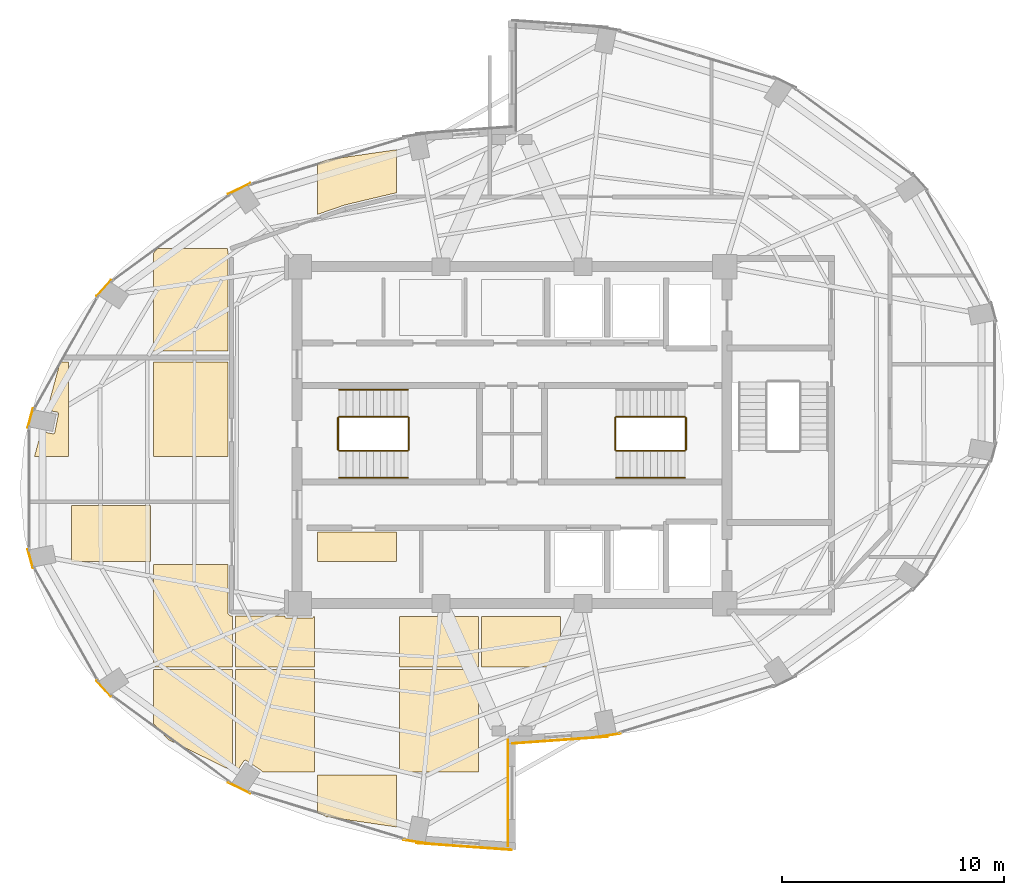
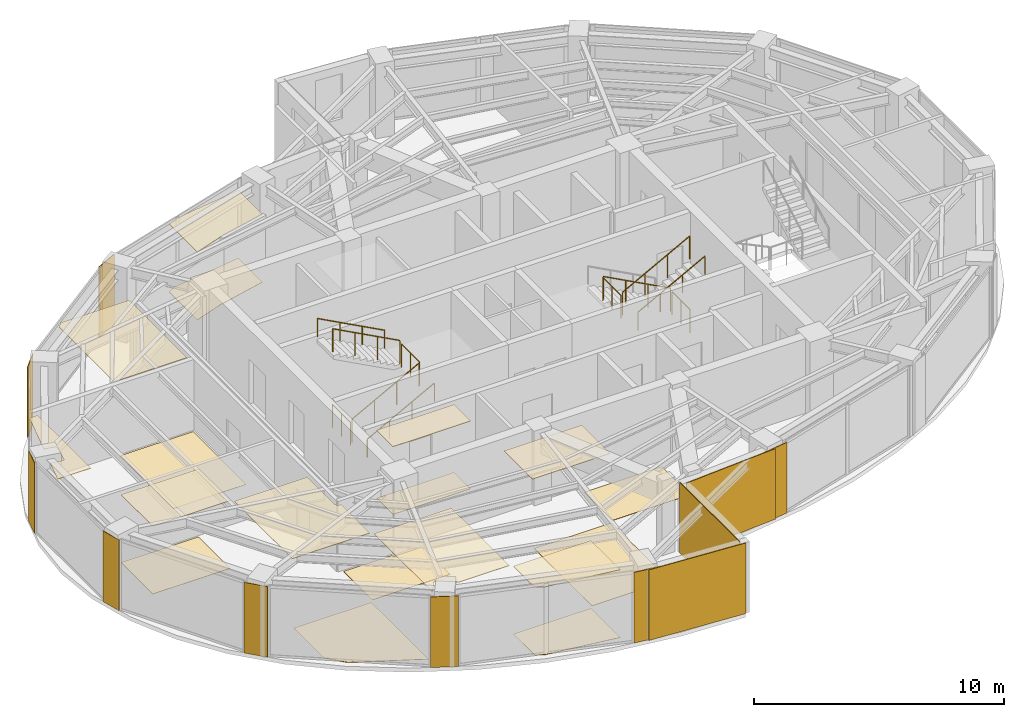
# One storey, part 22 of 23: 29 coverings, 11 railings.
"""IFC4 building model written with IfcOpenShell, lengths in metres."""

from ifc_helpers import new_model, si_unit, direction, frame, origin, origin_2d, place, context, subcontext, project, spatial, polyline, rectangle, circle, outline, extrude, material, layer, layer_set, type_object, element, save


model = new_model("IFC4")

# Units and contexts
model_context = context("Model", 3, precision=1e-05, world=origin(), true_north=direction((0.0, 1.0)))
body_context = subcontext(model_context, "Body", "Model", "MODEL_VIEW")
ifc_project = project(units=[si_unit("LENGTHUNIT", "METRE"), si_unit("AREAUNIT", "SQUARE_METRE"), si_unit("VOLUMEUNIT", "CUBIC_METRE"), si_unit("PLANEANGLEUNIT", "RADIAN"), si_unit("MASSUNIT", "GRAM", prefix="KILO")], contexts=[model_context])

# Site, building, storey
site_placement = place(None, origin())
site = spatial("IfcSite", under=ifc_project, at=site_placement, CompositionType="ELEMENT")
building_placement = place(site_placement, origin())
building = spatial("IfcBuilding", under=site, at=building_placement, Name="Lazwardi Medical Tower", CompositionType="ELEMENT")
storey_placement = place(building_placement, frame((0.0, 0.0, 262.320068359375)))
storey = spatial("IfcBuildingStorey", under=building, at=storey_placement, Name="L68", CompositionType="ELEMENT", Elevation=262.320068359375)

# Coverings
ifc_material_1 = material(Name="Anodised bronze aluminium cassette cladding", Category="aluminium")
ifc_layer_1 = layer(ifc_material_1, 0.030029296875)
ifc_layer_set_1 = layer_set([ifc_layer_1], Name="Anodised bronze aluminium cassette cladding")
covering_type_1 = type_object("IfcCoveringType", Name="COV-CLD-BRZ", PredefinedType="CLADDING", material=ifc_layer_set_1)
covering_1_placement = place(storey_placement, frame((40.3232421875, 14.450439453125, 0.0), z_axis=(0.0, 0.0, 1.0), x_axis=(0.989512431533, 0.144447733943, 0.0)))
element("IfcCovering", 1, at=covering_1_placement, inside=storey, type_object=covering_type_1, Name="L68 Mega-column bronze cassette cover M01", PredefinedType="CLADDING", context=body_context, shape_type="SweptSolid", body=[
    extrude(rectangle(XDim=1.188720703125, YDim=0.030029296875, at=origin_2d()), origin(), (0.0, 0.0, 1.0), 3.447998046875),
])
covering_2_placement = place(storey_placement, frame((23.688720703125, 39.121337890625, 0.0), z_axis=(0.0, 0.0, 1.0), x_axis=(-0.897840141691, -0.440321564278, 0.0)))
element("IfcCovering", 2, at=covering_2_placement, inside=storey, type_object=covering_type_1, Name="L68 Mega-column bronze cassette cover M10", PredefinedType="CLADDING", context=body_context, shape_type="SweptSolid", body=[
    extrude(rectangle(XDim=1.110595703125, YDim=0.030029296875, at=origin_2d()), origin(), (0.0, 0.0, 1.0), 3.447998046875),
])
covering_3_placement = place(storey_placement, frame((17.57470703125, 34.634765625, 0.0), z_axis=(0.0, 0.0, 1.0), x_axis=(-0.673240970654, -0.739423150458, 0.0)))
element("IfcCovering", 3, at=covering_3_placement, inside=storey, type_object=covering_type_1, Name="L68 Mega-column bronze cassette cover M11", PredefinedType="CLADDING", context=body_context, shape_type="SweptSolid", body=[
    extrude(rectangle(XDim=0.98974609375, YDim=0.030029296875, at=origin_2d()), origin(), (0.0, 0.0, 1.0), 3.447998046875),
])
for number, where, z_axis, x_axis, name in (
    (4, (14.265869140625, 28.772705078125, 0.0), (0.0, 0.0, 1.0), (-0.261641748247, -0.96516506131, 0.0), "L68 Mega-column bronze cassette cover M12"),
    (5, (14.265869140625, 22.427490234375, 0.0), (0.0, 0.0, 1.0), (0.261641748247, -0.96516506131, 0.0), "L68 Mega-column bronze cassette cover M13"),
):
    element("IfcCovering", number, at=place(storey_placement, frame(where, z_axis=z_axis, x_axis=x_axis)), inside=storey, type_object=covering_type_1, Name=name, PredefinedType="CLADDING", context=body_context, shape_type="SweptSolid", body=[
        extrude(rectangle(XDim=0.894287109375, YDim=0.030029296875, at=origin_2d()), origin(), (0.0, 0.0, 1.0), 3.447998046875),
    ])
covering_4_placement = place(storey_placement, frame((17.57470703125, 16.565185546875, 0.0), z_axis=(0.0, 0.0, 1.0), x_axis=(0.673240970654, -0.739423150458, 0.0)))
element("IfcCovering", 6, at=covering_4_placement, inside=storey, type_object=covering_type_1, Name="L68 Mega-column bronze cassette cover M14", PredefinedType="CLADDING", context=body_context, shape_type="SweptSolid", body=[
    extrude(rectangle(XDim=0.98974609375, YDim=0.030029296875, at=origin_2d()), origin(), (0.0, 0.0, 1.0), 3.447998046875),
])
covering_5_placement = place(storey_placement, frame((23.688720703125, 12.07861328125, 0.0), z_axis=(0.0, 0.0, 1.0), x_axis=(0.897840141691, -0.440321564278, 0.0)))
element("IfcCovering", 7, at=covering_5_placement, inside=storey, type_object=covering_type_1, Name="L68 Mega-column bronze cassette cover M15", PredefinedType="CLADDING", context=body_context, shape_type="SweptSolid", body=[
    extrude(rectangle(XDim=1.110595703125, YDim=0.030029296875, at=origin_2d()), origin(), (0.0, 0.0, 1.0), 3.447998046875),
])
covering_6_placement = place(storey_placement, frame((31.6767578125, 9.650390625, 0.0), z_axis=(0.0, 0.0, 1.0), x_axis=(0.989512431533, -0.144447733943, 0.0)))
element("IfcCovering", 8, at=covering_6_placement, inside=storey, type_object=covering_type_1, Name="L68 Mega-column bronze cassette cover M16", PredefinedType="CLADDING", context=body_context, shape_type="SweptSolid", body=[
    extrude(rectangle(XDim=1.188720703125, YDim=0.030029296875, at=origin_2d()), origin(), (0.0, 0.0, 1.0), 3.447998046875),
])
ifc_material_2 = material(Name="Turquoise glazed ceramic tilework cladding", Category="masonry")
ifc_layer_2 = layer(ifc_material_2, 0.034912109375)
ifc_layer_set_2 = layer_set([ifc_layer_2], Name="Turquoise glazed ceramic tilework cladding")
covering_type_2 = type_object("IfcCoveringType", Name="COV-CLD-TRQ", PredefinedType="CLADDING", material=ifc_layer_set_2)
covering_7_placement = place(storey_placement, frame((38.16259765625, 14.239990234375, 0.0), z_axis=(0.0, 0.0, 1.0), x_axis=(0.997409491337, 0.071932653157, 0.0)))
element("IfcCovering", 9, at=covering_7_placement, inside=storey, type_object=covering_type_2, Name="L68 Turquoise glazed ceramic tilework cladding", PredefinedType="CLADDING", context=body_context, shape_type="SweptSolid", body=[
    extrude(rectangle(XDim=4.31103515625, YDim=0.034912109375, at=origin_2d()), origin(), (0.0, 0.0, 1.0), 3.447998046875),
])
covering_8_placement = place(storey_placement, frame((33.83740234375, 9.43994140625, 0.0), z_axis=(0.0, 0.0, 1.0), x_axis=(0.997408989128, -0.071939616387, 0.0)))
element("IfcCovering", 10, at=covering_8_placement, inside=storey, type_object=covering_type_2, Name="L68 Turquoise glazed ceramic tilework cladding", PredefinedType="CLADDING", context=body_context, shape_type="SweptSolid", body=[
    extrude(rectangle(XDim=4.310546875, YDim=0.034912109375, at=origin_2d()), origin(), (0.0, 0.0, 1.0), 3.447998046875),
])
covering_9_placement = place(storey_placement, frame((35.824462890625, 11.860107421875, 0.0), z_axis=(0.0, 0.0, 1.0), x_axis=(0.0, 1.0, 0.0)))
element("IfcCovering", 11, at=covering_9_placement, inside=storey, type_object=covering_type_2, Name="L68 Turquoise glazed ceramic tilework iwan panel", PredefinedType="CLADDING", context=body_context, shape_type="SweptSolid", body=[
    extrude(rectangle(XDim=4.800048828125, YDim=0.034912109375, at=origin_2d()), origin(), (0.0, 0.0, 1.0), 3.447998046875),
])
ifc_material_3 = material(Name="Acoustic mineral fibre tile")
ifc_layer_3 = layer(ifc_material_3, 0.02490234375)
ifc_layer_set_3 = layer_set([ifc_layer_3], Name="Acoustic mineral fibre tile")
covering_type_3 = type_object("IfcCoveringType", Name="COV-CLG-01", PredefinedType="CEILING", material=ifc_layer_set_3)
covering_10_placement = place(storey_placement, frame((0.0, 0.0, 3.302978515625)))
element("IfcCovering", 12, at=covering_10_placement, inside=storey, type_object=covering_type_3, Name="L68 Clinical Acoustic Ceiling 1", PredefinedType="CEILING", context=body_context, shape_type="SweptSolid", body=[
    extrude(outline(polyline([(15.992919921875, 31.300048828125), (15.61181640625, 31.300048828125), (15.0224609375, 29.13134765625), (15.4716796875, 29.0419921875), (15.479248046875, 29.040283203125), (15.486572265625, 29.03759765625), (15.49365234375, 29.0341796875), (15.50048828125, 29.030029296875), (15.5068359375, 29.025390625), (15.5126953125, 29.020263671875), (15.517822265625, 29.014404296875), (15.5224609375, 29.008056640625), (15.526611328125, 29.001220703125), (15.52978515625, 28.994140625), (15.53271484375, 28.98681640625), (15.534423828125, 28.979248046875), (15.53564453125, 28.971435546875), (15.535888671875, 28.963623046875), (15.53564453125, 28.955810546875), (15.534423828125, 28.947998046875), (15.37060546875, 28.124267578125), (15.36865234375, 28.11669921875), (15.365966796875, 28.109130859375), (15.36279296875, 28.10205078125), (15.358642578125, 28.095458984375), (15.35400390625, 28.089111328125), (15.3486328125, 28.083251953125), (15.343017578125, 28.077880859375), (15.33642578125, 28.0732421875), (15.329833984375, 28.069091796875), (15.32275390625, 28.06591796875), (15.315185546875, 28.063232421875), (15.3076171875, 28.061279296875), (15.2998046875, 28.060302734375), (15.2919921875, 28.059814453125), (15.2841796875, 28.060302734375), (15.276611328125, 28.061279296875), (14.759521484375, 28.1640625), (14.454833984375, 27.04248046875), (15.992919921875, 27.04248046875), (15.992919921875, 31.300048828125)])), origin(), (0.0, 0.0, 1.0), 0.02490234375),
])
covering_11_placement = place(storey_placement, frame((0.0, 0.0, 3.302978515625)))
element("IfcCovering", 13, at=covering_11_placement, inside=storey, type_object=covering_type_3, Name="L68 Clinical Acoustic Ceiling 2", PredefinedType="CEILING", context=body_context, shape_type="SweptSolid", body=[
    extrude(outline(polyline([(19.69287109375, 24.8349609375), (16.11279296875, 24.8349609375), (16.11279296875, 22.29248046875), (19.69287109375, 22.29248046875), (19.69287109375, 24.8349609375)])), origin(), (0.0, 0.0, 1.0), 0.02490234375),
])
covering_12_placement = place(storey_placement, frame((0.0, 0.0, 3.302978515625)))
element("IfcCovering", 14, at=covering_12_placement, inside=storey, type_object=covering_type_3, Name="L68 Clinical Acoustic Ceiling 3", PredefinedType="CEILING", context=body_context, shape_type="SweptSolid", body=[
    extrude(outline(polyline([(23.392822265625, 19.844970703125), (23.35009765625, 19.844970703125), (23.345703125, 19.84521484375), (23.33642578125, 19.845703125), (23.32958984375, 19.84619140625), (23.3203125, 19.84765625), (23.31201171875, 19.84912109375), (23.302734375, 19.8515625), (23.2958984375, 19.853515625), (23.287109375, 19.856689453125), (23.279296875, 19.860107421875), (23.270751953125, 19.864013671875), (23.263916015625, 19.86767578125), (23.256103515625, 19.872314453125), (23.249267578125, 19.876953125), (23.24169921875, 19.882568359375), (23.236083984375, 19.88720703125), (23.229248046875, 19.893310546875), (23.223388671875, 19.8994140625), (23.217041015625, 19.90625), (23.21240234375, 19.911865234375), (23.206787109375, 19.919189453125), (23.202392578125, 19.926025390625), (23.197509765625, 19.93408203125), (23.194091796875, 19.94091796875), (23.18994140625, 19.94921875), (23.186767578125, 19.95703125), (23.18359375, 19.9658203125), (23.181396484375, 19.972900390625), (23.17919921875, 19.98193359375), (23.177490234375, 19.990234375), (23.17626953125, 19.99951171875), (23.175537109375, 20.00634765625), (23.175048828125, 20.015625), (23.175048828125, 20.02001953125), (23.175048828125, 22.172607421875), (19.81298828125, 22.172607421875), (19.81298828125, 17.54248046875), (23.392822265625, 17.54248046875), (23.392822265625, 19.844970703125)])), origin(), (0.0, 0.0, 1.0), 0.02490234375),
])
covering_13_placement = place(storey_placement, frame((0.0, 0.0, 3.302978515625)))
element("IfcCovering", 15, at=covering_13_placement, inside=storey, type_object=covering_type_3, Name="L68 Clinical Acoustic Ceiling 4", PredefinedType="CEILING", context=body_context, shape_type="SweptSolid", body=[
    extrude(outline(polyline([(20.011962890625, 36.422607421875), (19.81298828125, 36.204345703125), (19.81298828125, 31.79248046875), (23.175048828125, 31.79248046875), (23.175048828125, 35.982421875), (23.175048828125, 35.986572265625), (23.175537109375, 35.99609375), (23.176513671875, 36.00439453125), (23.177978515625, 36.01416015625), (23.179443359375, 36.021484375), (23.181884765625, 36.031005859375), (23.1845703125, 36.039306640625), (23.18798828125, 36.04833984375), (23.191162109375, 36.055419921875), (23.1953125, 36.064208984375), (23.199462890625, 36.071533203125), (23.20458984375, 36.079833984375), (23.209228515625, 36.086181640625), (23.212158203125, 36.090087890625), (23.1591796875, 36.40625), (23.15869140625, 36.410400390625), (23.15771484375, 36.419921875), (23.157470703125, 36.422607421875), (20.011962890625, 36.422607421875)])), origin(), (0.0, 0.0, 1.0), 0.02490234375),
])
covering_14_placement = place(storey_placement, frame((0.0, 0.0, 3.302978515625)))
element("IfcCovering", 16, at=covering_14_placement, inside=storey, type_object=covering_type_3, Name="L68 Clinical Acoustic Ceiling 5", PredefinedType="CEILING", context=body_context, shape_type="SweptSolid", body=[
    extrude(outline(polyline([(23.56298828125, 12.79248046875), (23.900634765625, 13.297607421875), (23.905517578125, 13.303955078125), (23.91064453125, 13.309814453125), (23.91650390625, 13.31494140625), (23.9228515625, 13.319580078125), (23.929443359375, 13.32373046875), (23.9365234375, 13.3271484375), (23.944091796875, 13.329833984375), (23.95166015625, 13.331787109375), (23.95947265625, 13.332763671875), (23.96728515625, 13.333251953125), (23.97509765625, 13.332763671875), (23.98291015625, 13.331787109375), (23.990478515625, 13.329833984375), (23.997802734375, 13.3271484375), (24.0048828125, 13.32373046875), (24.01171875, 13.319580078125), (24.7099609375, 12.85302734375), (24.71630859375, 12.848388671875), (24.72216796875, 12.843017578125), (24.727294921875, 12.83740234375), (24.732177734375, 12.830810546875), (24.736083984375, 12.82421875), (24.739501953125, 12.817138671875), (24.7421875, 12.809814453125), (24.744140625, 12.802001953125), (24.7451171875, 12.794189453125), (24.745361328125, 12.79248046875), (27.093017578125, 12.79248046875), (27.093017578125, 17.422607421875), (23.512939453125, 17.422607421875), (23.512939453125, 12.79248046875), (23.56298828125, 12.79248046875)])), origin(), (0.0, 0.0, 1.0), 0.02490234375),
])
covering_15_placement = place(storey_placement, frame((0.0, 0.0, 3.302978515625)))
element("IfcCovering", 17, at=covering_15_placement, inside=storey, type_object=covering_type_3, Name="L68 Clinical Acoustic Ceiling 6", PredefinedType="CEILING", context=body_context, shape_type="SweptSolid", body=[
    extrude(outline(polyline([(27.212890625, 10.972412109375), (27.59716796875, 10.784423828125), (30.79296875, 10.319091796875), (30.79296875, 12.672607421875), (27.212890625, 12.672607421875), (27.212890625, 10.972412109375)])), origin(), (0.0, 0.0, 1.0), 0.02490234375),
])
covering_16_placement = place(storey_placement, frame((0.0, 0.0, 3.302978515625)))
element("IfcCovering", 18, at=covering_16_placement, inside=storey, type_object=covering_type_3, Name="L68 Clinical Acoustic Ceiling 7", PredefinedType="CEILING", context=body_context, shape_type="SweptSolid", body=[
    extrude(outline(polyline([(30.79296875, 23.6201171875), (27.212890625, 23.6201171875), (27.212890625, 22.29248046875), (30.79296875, 22.29248046875), (30.79296875, 23.6201171875)])), origin(), (0.0, 0.0, 1.0), 0.02490234375),
])
covering_17_placement = place(storey_placement, frame((0.0, 0.0, 3.302978515625)))
element("IfcCovering", 19, at=covering_17_placement, inside=storey, type_object=covering_type_3, Name="L68 Clinical Acoustic Ceiling 8", PredefinedType="CEILING", context=body_context, shape_type="SweptSolid", body=[
    extrude(outline(polyline([(30.79296875, 40.880859375), (27.59716796875, 40.41552734375), (27.212890625, 40.2275390625), (27.212890625, 37.956787109375), (28.457763671875, 38.385498046875), (28.461669921875, 38.386962890625), (28.470703125, 38.389404296875), (28.474365234375, 38.390380859375), (30.70947265625, 38.920166015625), (30.71337890625, 38.921142578125), (30.72412109375, 38.923095703125), (30.734375, 38.92431640625), (30.74560546875, 38.9248046875), (30.749755859375, 38.925048828125), (30.79296875, 38.925048828125), (30.79296875, 40.880859375)])), origin(), (0.0, 0.0, 1.0), 0.02490234375),
])
covering_18_placement = place(storey_placement, frame((0.0, 0.0, 3.302978515625)))
element("IfcCovering", 20, at=covering_18_placement, inside=storey, type_object=covering_type_3, Name="L68 Clinical Acoustic Ceiling 9", PredefinedType="CEILING", context=body_context, shape_type="SweptSolid", body=[
    extrude(outline(polyline([(34.492919921875, 19.820068359375), (30.912841796875, 19.820068359375), (30.912841796875, 17.54248046875), (34.492919921875, 17.54248046875), (34.492919921875, 19.820068359375)])), origin(), (0.0, 0.0, 1.0), 0.02490234375),
])
ifc_material_4 = material(Name="Anti-static hospital vinyl sheet flooring")
ifc_layer_4 = layer(ifc_material_4, 0.014892578125)
ifc_layer_set_4 = layer_set([ifc_layer_4], Name="Anti-static hospital vinyl sheet flooring")
covering_type_4 = type_object("IfcCoveringType", Name="COV-FLR-01", PredefinedType="FLOORING", material=ifc_layer_set_4)
covering_19_placement = place(storey_placement, origin())
element("IfcCovering", 21, at=covering_19_placement, inside=storey, type_object=covering_type_4, Name="L68 Clinical Vinyl Flooring 1", PredefinedType="FLOORING", context=body_context, shape_type="SweptSolid", body=[
    extrude(outline(polyline([(19.69287109375, 24.8349609375), (16.11279296875, 24.8349609375), (16.11279296875, 22.29248046875), (19.69287109375, 22.29248046875), (19.69287109375, 24.8349609375)])), origin(), (0.0, 0.0, 1.0), 0.014892578125),
])
covering_20_placement = place(storey_placement, origin())
element("IfcCovering", 22, at=covering_20_placement, inside=storey, type_object=covering_type_4, Name="L68 Clinical Vinyl Flooring 2", PredefinedType="FLOORING", context=body_context, shape_type="SweptSolid", body=[
    extrude(outline(polyline([(19.81298828125, 14.99560546875), (20.478271484375, 14.2666015625), (23.392822265625, 12.841064453125), (23.392822265625, 17.422607421875), (19.81298828125, 17.422607421875), (19.81298828125, 14.99560546875)])), origin(), (0.0, 0.0, 1.0), 0.014892578125),
])
covering_21_placement = place(storey_placement, origin())
element("IfcCovering", 23, at=covering_21_placement, inside=storey, type_object=covering_type_4, Name="L68 Clinical Vinyl Flooring 3", PredefinedType="FLOORING", context=body_context, shape_type="SweptSolid", body=[
    extrude(outline(polyline([(23.175048828125, 27.04248046875), (23.175048828125, 31.300048828125), (19.81298828125, 31.300048828125), (19.81298828125, 27.04248046875), (23.175048828125, 27.04248046875)])), origin(), (0.0, 0.0, 1.0), 0.014892578125),
])
covering_22_placement = place(storey_placement, origin())
element("IfcCovering", 24, at=covering_22_placement, inside=storey, type_object=covering_type_4, Name="L68 Clinical Vinyl Flooring 4", PredefinedType="FLOORING", context=body_context, shape_type="SweptSolid", body=[
    extrude(outline(polyline([(27.093017578125, 19.820068359375), (27.04931640625, 19.820068359375), (27.048583984375, 19.814453125), (27.046630859375, 19.806884765625), (27.0439453125, 19.79931640625), (27.04052734375, 19.792236328125), (27.03662109375, 19.78564453125), (27.03173828125, 19.779296875), (27.026611328125, 19.7734375), (27.020751953125, 19.768310546875), (27.014404296875, 19.763427734375), (27.0078125, 19.759521484375), (27.00048828125, 19.756103515625), (26.9931640625, 19.75341796875), (26.985595703125, 19.75146484375), (26.977783203125, 19.75048828125), (26.969970703125, 19.75), (25.830078125, 19.75), (25.822265625, 19.75048828125), (25.814453125, 19.75146484375), (25.806884765625, 19.75341796875), (25.79931640625, 19.756103515625), (25.792236328125, 19.759521484375), (25.78564453125, 19.763427734375), (25.779296875, 19.768310546875), (25.7734375, 19.7734375), (25.768310546875, 19.779296875), (25.763427734375, 19.78564453125), (25.759521484375, 19.792236328125), (25.756103515625, 19.79931640625), (25.75341796875, 19.806884765625), (25.75146484375, 19.814453125), (25.75048828125, 19.822265625), (25.75, 19.830078125), (25.75, 19.844970703125), (23.512939453125, 19.844970703125), (23.512939453125, 17.54248046875), (27.093017578125, 17.54248046875), (27.093017578125, 19.820068359375)])), origin(), (0.0, 0.0, 1.0), 0.014892578125),
])
covering_23_placement = place(storey_placement, origin())
element("IfcCovering", 25, at=covering_23_placement, inside=storey, type_object=covering_type_4, Name="L68 Clinical Vinyl Flooring 5", PredefinedType="FLOORING", context=body_context, shape_type="SweptSolid", body=[
    extrude(outline(polyline([(27.212890625, 10.972412109375), (27.59716796875, 10.784423828125), (30.79296875, 10.319091796875), (30.79296875, 12.672607421875), (27.212890625, 12.672607421875), (27.212890625, 10.972412109375)])), origin(), (0.0, 0.0, 1.0), 0.014892578125),
])
covering_24_placement = place(storey_placement, origin())
element("IfcCovering", 26, at=covering_24_placement, inside=storey, type_object=covering_type_4, Name="L68 Clinical Vinyl Flooring 6", PredefinedType="FLOORING", context=body_context, shape_type="SweptSolid", body=[
    extrude(outline(polyline([(30.79296875, 23.6201171875), (27.212890625, 23.6201171875), (27.212890625, 22.29248046875), (30.79296875, 22.29248046875), (30.79296875, 23.6201171875)])), origin(), (0.0, 0.0, 1.0), 0.014892578125),
])
covering_25_placement = place(storey_placement, origin())
element("IfcCovering", 27, at=covering_25_placement, inside=storey, type_object=covering_type_4, Name="L68 Clinical Vinyl Flooring 7", PredefinedType="FLOORING", context=body_context, shape_type="SweptSolid", body=[
    extrude(outline(polyline([(30.79296875, 40.880859375), (27.59716796875, 40.41552734375), (27.212890625, 40.2275390625), (27.212890625, 37.956787109375), (28.457763671875, 38.385498046875), (28.461669921875, 38.386962890625), (28.470703125, 38.389404296875), (28.474365234375, 38.390380859375), (30.70947265625, 38.920166015625), (30.71337890625, 38.921142578125), (30.72412109375, 38.923095703125), (30.734375, 38.92431640625), (30.74560546875, 38.9248046875), (30.749755859375, 38.925048828125), (30.79296875, 38.925048828125), (30.79296875, 40.880859375)])), origin(), (0.0, 0.0, 1.0), 0.014892578125),
])
covering_26_placement = place(storey_placement, origin())
element("IfcCovering", 28, at=covering_26_placement, inside=storey, type_object=covering_type_4, Name="L68 Clinical Vinyl Flooring 8", PredefinedType="FLOORING", context=body_context, shape_type="SweptSolid", body=[
    extrude(outline(polyline([(34.492919921875, 12.79248046875), (34.492919921875, 17.422607421875), (30.912841796875, 17.422607421875), (30.912841796875, 12.79248046875), (34.492919921875, 12.79248046875)])), origin(), (0.0, 0.0, 1.0), 0.014892578125),
])
covering_27_placement = place(storey_placement, origin())
element("IfcCovering", 29, at=covering_27_placement, inside=storey, type_object=covering_type_4, Name="L68 Clinical Vinyl Flooring 9", PredefinedType="FLOORING", context=body_context, shape_type="SweptSolid", body=[
    extrude(outline(polyline([(38.19287109375, 19.820068359375), (34.61279296875, 19.820068359375), (34.61279296875, 17.54248046875), (38.19287109375, 17.54248046875), (38.19287109375, 19.820068359375)])), origin(), (0.0, 0.0, 1.0), 0.014892578125),
])

# Railings
ifc_material_5 = material(Name="Stainless steel Grade 316", Category="steel")
railing_type_1 = type_object("IfcRailingType", Name="RLG-GRD-1150", PredefinedType="GUARDRAIL", material=ifc_material_5)
railing_1_placement = place(storey_placement, frame((28.199951171875, 27.2900390625, 0.165771484375)))
element("IfcRailing", 30, at=railing_1_placement, inside=storey, type_object=railing_type_1, Name="L68 ST1 stair guard 1", PredefinedType="GUARDRAIL", context=body_context, shape_type="SweptSolid", body=[
    extrude(circle(Radius=0.02392578125, at=origin_2d()), frame((0.0, 0.0, 1.1259765625), z_axis=(0.881783298633, 0.0, 0.471654761719), x_axis=(0.0, 1.0, 0.0)), (0.0, 0.0, 1.0), 3.515625),
    extrude(circle(Radius=0.02099609375, at=origin_2d()), origin(), (0.0, 0.0, 1.0), 1.099853515625),
    extrude(circle(Radius=0.02099609375, at=origin_2d()), frame((1.033447265625, 0.0, 0.552734375)), (0.0, 0.0, 1.0), 1.099853515625),
    extrude(circle(Radius=0.02099609375, at=origin_2d()), frame((2.066650390625, 0.0, 1.10546875)), (0.0, 0.0, 1.0), 1.099853515625),
    extrude(circle(Radius=0.02099609375, at=origin_2d()), frame((3.10009765625, 0.0, 1.658203125)), (0.0, 0.0, 1.0), 1.099853515625),
])
railing_2_placement = place(storey_placement, frame((31.35009765625, 27.340087890625, 1.823974609375)))
element("IfcRailing", 31, at=railing_2_placement, inside=storey, type_object=railing_type_1, Name="L68 ST1 stair guard 2", PredefinedType="GUARDRAIL", context=body_context, shape_type="SweptSolid", body=[
    extrude(circle(Radius=0.02392578125, at=origin_2d()), frame((0.0, 0.0, 1.1259765625), z_axis=(0.0, 1.0, 0.0), x_axis=(-1.0, 0.0, 0.0)), (0.0, 0.0, 1.0), 1.43994140625),
    extrude(circle(Radius=0.02099609375, at=origin_2d()), origin(), (0.0, 0.0, 1.0), 1.099853515625),
    extrude(circle(Radius=0.02099609375, at=origin_2d()), frame((0.0, 0.719970703125, 0.0)), (0.0, 0.0, 1.0), 1.099853515625),
    extrude(circle(Radius=0.02099609375, at=origin_2d()), frame((0.0, 1.43994140625, 0.0)), (0.0, 0.0, 1.0), 1.099853515625),
])
railing_3_placement = place(storey_placement, frame((31.300048828125, 28.830078125, 1.98974609375)))
element("IfcRailing", 32, at=railing_3_placement, inside=storey, type_object=railing_type_1, Name="L68 ST1 stair guard 3", PredefinedType="GUARDRAIL", context=body_context, shape_type="SweptSolid", body=[
    extrude(circle(Radius=0.02392578125, at=origin_2d()), frame((0.0, 0.0, 1.1259765625), z_axis=(-0.881783298633, 0.0, 0.471654761719), x_axis=(0.0, -1.0, 0.0)), (0.0, 0.0, 1.0), 3.515625),
    extrude(circle(Radius=0.02099609375, at=origin_2d()), origin(), (0.0, 0.0, 1.0), 1.099853515625),
    extrude(circle(Radius=0.02099609375, at=origin_2d()), frame((-1.033447265625, 0.0, 0.552734375)), (0.0, 0.0, 1.0), 1.099853515625),
    extrude(circle(Radius=0.02099609375, at=origin_2d()), frame((-2.066650390625, 0.0, 1.10546875)), (0.0, 0.0, 1.0), 1.099853515625),
    extrude(circle(Radius=0.02099609375, at=origin_2d()), frame((-3.10009765625, 0.0, 1.658203125)), (0.0, 0.0, 1.0), 1.099853515625),
])
railing_4_placement = place(storey_placement, frame((28.14990234375, 27.340087890625, 0.0)))
element("IfcRailing", 33, at=railing_4_placement, inside=storey, type_object=railing_type_1, Name="L68 ST1 stair guard 4", PredefinedType="GUARDRAIL", context=body_context, shape_type="SweptSolid", body=[
    extrude(circle(Radius=0.02392578125, at=origin_2d()), frame((0.0, 0.0, 1.1259765625), z_axis=(0.0, 1.0, 0.0), x_axis=(-1.0, 0.0, 0.0)), (0.0, 0.0, 1.0), 1.43994140625),
    extrude(circle(Radius=0.02099609375, at=origin_2d()), origin(), (0.0, 0.0, 1.0), 1.099853515625),
    extrude(circle(Radius=0.02099609375, at=origin_2d()), frame((0.0, 0.719970703125, 0.0)), (0.0, 0.0, 1.0), 1.099853515625),
    extrude(circle(Radius=0.02099609375, at=origin_2d()), frame((0.0, 1.43994140625, 0.0)), (0.0, 0.0, 1.0), 1.099853515625),
])
railing_5_placement = place(storey_placement, frame((43.800048828125, 28.830078125, 0.165771484375)))
element("IfcRailing", 34, at=railing_5_placement, inside=storey, type_object=railing_type_1, Name="L68 ST2 stair guard 1", PredefinedType="GUARDRAIL", context=body_context, shape_type="SweptSolid", body=[
    extrude(circle(Radius=0.02392578125, at=origin_2d()), frame((0.0, 0.0, 1.1259765625), z_axis=(-0.881783298633, 0.0, 0.471654761719), x_axis=(0.0, -1.0, 0.0)), (0.0, 0.0, 1.0), 3.515625),
    extrude(circle(Radius=0.02099609375, at=origin_2d()), origin(), (0.0, 0.0, 1.0), 1.099853515625),
    extrude(circle(Radius=0.02099609375, at=origin_2d()), frame((-1.033447265625, 0.0, 0.552734375)), (0.0, 0.0, 1.0), 1.099853515625),
    extrude(circle(Radius=0.02099609375, at=origin_2d()), frame((-2.066650390625, 0.0, 1.10546875)), (0.0, 0.0, 1.0), 1.099853515625),
    extrude(circle(Radius=0.02099609375, at=origin_2d()), frame((-3.10009765625, 0.0, 1.658203125)), (0.0, 0.0, 1.0), 1.099853515625),
])
railing_6_placement = place(storey_placement, frame((40.64990234375, 28.780029296875, 1.823974609375)))
element("IfcRailing", 35, at=railing_6_placement, inside=storey, type_object=railing_type_1, Name="L68 ST2 stair guard 2", PredefinedType="GUARDRAIL", context=body_context, shape_type="SweptSolid", body=[
    extrude(circle(Radius=0.02392578125, at=origin_2d()), frame((0.0, 0.0, 1.1259765625), z_axis=(0.0, -1.0, 0.0), x_axis=(1.0, 0.0, 0.0)), (0.0, 0.0, 1.0), 1.43994140625),
    extrude(circle(Radius=0.02099609375, at=origin_2d()), origin(), (0.0, 0.0, 1.0), 1.099853515625),
    extrude(circle(Radius=0.02099609375, at=origin_2d()), frame((0.0, -0.719970703125, 0.0)), (0.0, 0.0, 1.0), 1.099853515625),
    extrude(circle(Radius=0.02099609375, at=origin_2d()), frame((0.0, -1.43994140625, 0.0)), (0.0, 0.0, 1.0), 1.099853515625),
])
railing_7_placement = place(storey_placement, frame((40.699951171875, 27.2900390625, 1.98974609375)))
element("IfcRailing", 36, at=railing_7_placement, inside=storey, type_object=railing_type_1, Name="L68 ST2 stair guard 3", PredefinedType="GUARDRAIL", context=body_context, shape_type="SweptSolid", body=[
    extrude(circle(Radius=0.02392578125, at=origin_2d()), frame((0.0, 0.0, 1.1259765625), z_axis=(0.881783298633, 0.0, 0.471654761719), x_axis=(0.0, 1.0, 0.0)), (0.0, 0.0, 1.0), 3.515625),
    extrude(circle(Radius=0.02099609375, at=origin_2d()), origin(), (0.0, 0.0, 1.0), 1.099853515625),
    extrude(circle(Radius=0.02099609375, at=origin_2d()), frame((1.033447265625, 0.0, 0.552734375)), (0.0, 0.0, 1.0), 1.099853515625),
    extrude(circle(Radius=0.02099609375, at=origin_2d()), frame((2.066650390625, 0.0, 1.10546875)), (0.0, 0.0, 1.0), 1.099853515625),
    extrude(circle(Radius=0.02099609375, at=origin_2d()), frame((3.10009765625, 0.0, 1.658203125)), (0.0, 0.0, 1.0), 1.099853515625),
])
railing_8_placement = place(storey_placement, frame((43.85009765625, 28.780029296875, 0.0)))
element("IfcRailing", 37, at=railing_8_placement, inside=storey, type_object=railing_type_1, Name="L68 ST2 stair guard 4", PredefinedType="GUARDRAIL", context=body_context, shape_type="SweptSolid", body=[
    extrude(circle(Radius=0.02392578125, at=origin_2d()), frame((0.0, 0.0, 1.1259765625), z_axis=(0.0, -1.0, 0.0), x_axis=(1.0, 0.0, 0.0)), (0.0, 0.0, 1.0), 1.43994140625),
    extrude(circle(Radius=0.02099609375, at=origin_2d()), origin(), (0.0, 0.0, 1.0), 1.099853515625),
    extrude(circle(Radius=0.02099609375, at=origin_2d()), frame((0.0, -0.719970703125, 0.0)), (0.0, 0.0, 1.0), 1.099853515625),
    extrude(circle(Radius=0.02099609375, at=origin_2d()), frame((0.0, -1.43994140625, 0.0)), (0.0, 0.0, 1.0), 1.099853515625),
])
railing_type_2 = type_object("IfcRailingType", Name="RLG-HND-920", PredefinedType="HANDRAIL", material=ifc_material_5)
railing_9_placement = place(storey_placement, frame((28.199951171875, 26.070068359375, 0.165771484375)))
element("IfcRailing", 38, at=railing_9_placement, inside=storey, type_object=railing_type_2, Name="L68 ST1 stair handrail 1", PredefinedType="HANDRAIL", context=body_context, shape_type="SweptSolid", body=[
    extrude(circle(Radius=0.02392578125, at=origin_2d()), frame((0.0, 0.0, 0.8857421875), z_axis=(0.881783298633, 0.0, 0.471654761719), x_axis=(0.0, 1.0, 0.0)), (0.0, 0.0, 1.0), 3.515625),
    extrude(circle(Radius=0.02099609375, at=origin_2d()), origin(), (0.0, 0.0, 1.0), 0.85986328125),
    extrude(circle(Radius=0.02099609375, at=origin_2d()), frame((1.033447265625, 0.0, 0.552734375)), (0.0, 0.0, 1.0), 0.85986328125),
    extrude(circle(Radius=0.02099609375, at=origin_2d()), frame((2.066650390625, 0.0, 1.10546875)), (0.0, 0.0, 1.0), 0.85986328125),
    extrude(circle(Radius=0.02099609375, at=origin_2d()), frame((3.10009765625, 0.0, 1.658203125)), (0.0, 0.0, 1.0), 0.85986328125),
])
railing_10_placement = place(storey_placement, frame((31.300048828125, 30.050048828125, 1.98974609375)))
element("IfcRailing", 39, at=railing_10_placement, inside=storey, type_object=railing_type_2, Name="L68 ST1 stair handrail 2", PredefinedType="HANDRAIL", context=body_context, shape_type="SweptSolid", body=[
    extrude(circle(Radius=0.02392578125, at=origin_2d()), frame((0.0, 0.0, 0.8857421875), z_axis=(-0.881783298633, 0.0, 0.471654761719), x_axis=(0.0, -1.0, 0.0)), (0.0, 0.0, 1.0), 3.515625),
    extrude(circle(Radius=0.02099609375, at=origin_2d()), origin(), (0.0, 0.0, 1.0), 0.85986328125),
    extrude(circle(Radius=0.02099609375, at=origin_2d()), frame((-1.033447265625, 0.0, 0.552734375)), (0.0, 0.0, 1.0), 0.85986328125),
    extrude(circle(Radius=0.02099609375, at=origin_2d()), frame((-2.066650390625, 0.0, 1.10546875)), (0.0, 0.0, 1.0), 0.85986328125),
    extrude(circle(Radius=0.02099609375, at=origin_2d()), frame((-3.10009765625, 0.0, 1.658203125)), (0.0, 0.0, 1.0), 0.85986328125),
])
railing_11_placement = place(storey_placement, frame((40.699951171875, 26.070068359375, 1.98974609375)))
element("IfcRailing", 40, at=railing_11_placement, inside=storey, type_object=railing_type_2, Name="L68 ST2 stair handrail 2", PredefinedType="HANDRAIL", context=body_context, shape_type="SweptSolid", body=[
    extrude(circle(Radius=0.02392578125, at=origin_2d()), frame((0.0, 0.0, 0.8857421875), z_axis=(0.881783298633, 0.0, 0.471654761719), x_axis=(0.0, 1.0, 0.0)), (0.0, 0.0, 1.0), 3.515625),
    extrude(circle(Radius=0.02099609375, at=origin_2d()), origin(), (0.0, 0.0, 1.0), 0.85986328125),
    extrude(circle(Radius=0.02099609375, at=origin_2d()), frame((1.033447265625, 0.0, 0.552734375)), (0.0, 0.0, 1.0), 0.85986328125),
    extrude(circle(Radius=0.02099609375, at=origin_2d()), frame((2.066650390625, 0.0, 1.10546875)), (0.0, 0.0, 1.0), 0.85986328125),
    extrude(circle(Radius=0.02099609375, at=origin_2d()), frame((3.10009765625, 0.0, 1.658203125)), (0.0, 0.0, 1.0), 0.85986328125),
])

save(model, "model.ifc")
